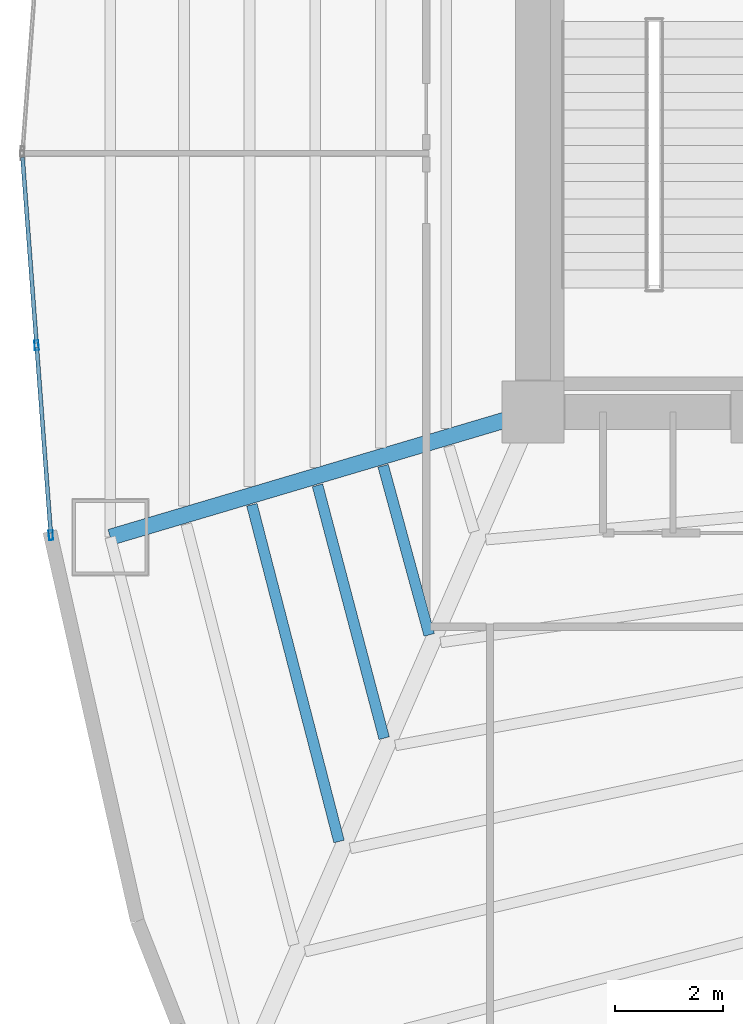
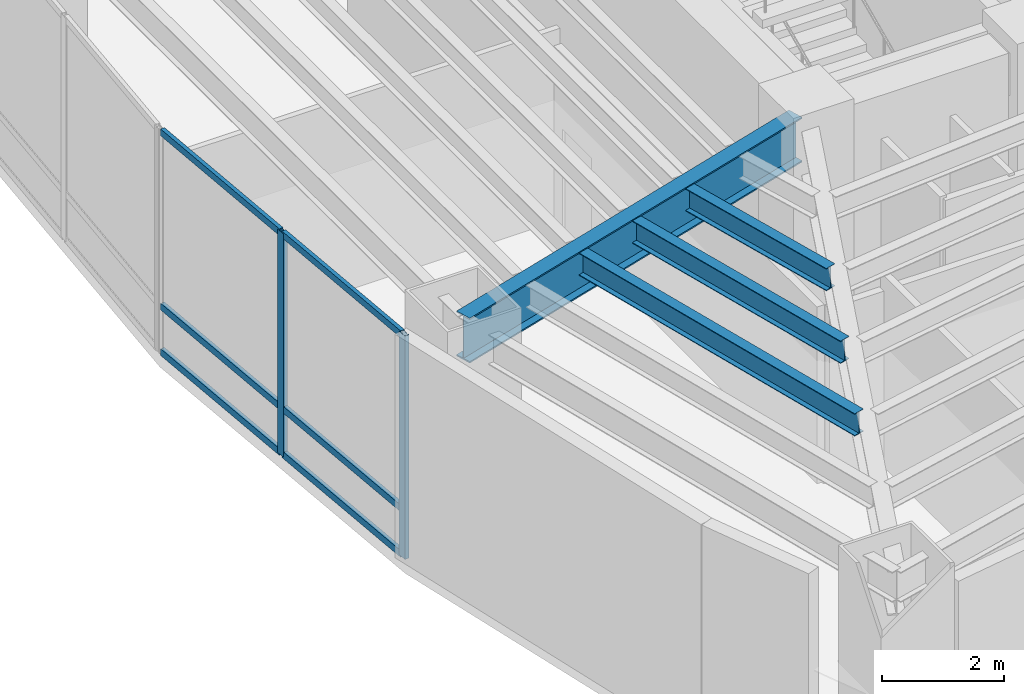
# One storey, part 3 of 18: 8 members, 4 beams, 1 element without a shape of its own.
"""IFC4 building model written with IfcOpenShell, lengths in metres."""

from ifc_helpers import new_model, si_unit, direction, frame, origin, origin_2d, place, context, subcontext, project, spatial, hollow_rectangle, i_section, extrude, material, layer, layer_set, material_profile, profile_set, type_object, element, aggregate, save


model = new_model("IFC4")

# Units and contexts
model_context = context("Model", 3, precision=1e-05, world=origin(), true_north=direction((0.0, 1.0)))
body_context = subcontext(model_context, "Body", "Model", "MODEL_VIEW")
ifc_project = project(units=[si_unit("LENGTHUNIT", "METRE"), si_unit("AREAUNIT", "SQUARE_METRE"), si_unit("VOLUMEUNIT", "CUBIC_METRE"), si_unit("PLANEANGLEUNIT", "RADIAN"), si_unit("MASSUNIT", "GRAM", prefix="KILO")], contexts=[model_context])

# Site, building, storey
site_placement = place(None, origin())
site = spatial("IfcSite", under=ifc_project, at=site_placement, CompositionType="ELEMENT")
building_placement = place(site_placement, origin())
building = spatial("IfcBuilding", under=site, at=building_placement, Name="Menara Vayukalpa", CompositionType="ELEMENT")
storey_placement = place(building_placement, frame((0.0, 0.0, 7.199951171875)))
storey = spatial("IfcBuildingStorey", under=building, at=storey_placement, Name="L01", CompositionType="ELEMENT", Elevation=7.199951171875)

# Beams
ifc_material_1 = material(Name="Steel S355", Category="steel")
ifc_material_profile_1 = material_profile(ifc_material_1, i_section(OverallWidth=0.300048828125, OverallDepth=0.89990234375, WebThickness=0.01611328125, FlangeThickness=0.028076171875, at=origin_2d()), Name="WF 900x300x16x28")
ifc_profile_set_1 = profile_set([ifc_material_profile_1], Name="Steel S355")
beam_type_1 = type_object("IfcBeamType", Name="BM-PG1", PredefinedType="BEAM", material=ifc_profile_set_1)
beam_1_placement = place(storey_placement, frame((17.560302734375, 17.12890625, 4.030029296875), z_axis=(-0.958678858065, -0.284490504409, 0.0), x_axis=(0.284490504409, -0.958678858065, 0.0)))
element("IfcBeam", 1, at=beam_1_placement, inside=storey, type_object=beam_type_1, Name="L01 Primary Radial Girder RG06", PredefinedType="BEAM", context=body_context, shape_type="SweptSolid", body=[
    extrude(i_section(OverallWidth=0.300048828125, OverallDepth=0.89990234375, WebThickness=0.01611328125, FlangeThickness=0.028076171875, at=origin_2d()), origin(), (0.0, 0.0, 1.0), 7.936279296875),
])
ifc_material_2 = material(Name="Steel S355", Category="steel")
ifc_material_profile_2 = material_profile(ifc_material_2, i_section(OverallWidth=0.199951171875, OverallDepth=0.449951171875, WebThickness=0.009033203125, FlangeThickness=0.013916015625, at=origin_2d()), Name="WF 450x200x9x14")
ifc_profile_set_2 = profile_set([ifc_material_profile_2], Name="Steel S355")
beam_type_2 = type_object("IfcBeamType", Name="BM-SJ1", PredefinedType="JOIST", material=ifc_profile_set_2)
beam_2_placement = place(storey_placement, frame((15.018310546875, 16.197265625, 4.255126953125), z_axis=(0.262945960317, -0.964810562729, 0.0), x_axis=(0.964810562729, 0.262945960317, 0.0)))
element("IfcBeam", 2, at=beam_2_placement, inside=storey, type_object=beam_type_2, Name="L01 Secondary Floor Joist SJ06-2", PredefinedType="JOIST", context=body_context, shape_type="SweptSolid", body=[
    extrude(i_section(OverallWidth=0.199951171875, OverallDepth=0.449951171875, WebThickness=0.009033203125, FlangeThickness=0.013916015625, at=origin_2d()), origin(), (0.0, 0.0, 1.0), 3.25341796875),
])
beam_3_placement = place(storey_placement, frame((13.799560546875, 15.835693359375, 4.255126953125), z_axis=(0.254819975699, -0.966988510782, 0.0), x_axis=(0.966988510782, 0.254819975699, 0.0)))
element("IfcBeam", 3, at=beam_3_placement, inside=storey, type_object=beam_type_2, Name="L01 Secondary Floor Joist SJ06-3", PredefinedType="JOIST", context=body_context, shape_type="SweptSolid", body=[
    extrude(i_section(OverallWidth=0.199951171875, OverallDepth=0.449951171875, WebThickness=0.009033203125, FlangeThickness=0.013916015625, at=origin_2d()), origin(), (0.0, 0.0, 1.0), 4.855712890625),
])
beam_4_placement = place(storey_placement, frame((12.581298828125, 15.47412109375, 4.255126953125), z_axis=(0.250533111623, -0.968108031152, 0.0), x_axis=(0.968108031152, 0.250533111623, 0.0)))
element("IfcBeam", 4, at=beam_4_placement, inside=storey, type_object=beam_type_2, Name="L01 Secondary Floor Joist SJ06-4", PredefinedType="JOIST", context=body_context, shape_type="SweptSolid", body=[
    extrude(i_section(OverallWidth=0.199951171875, OverallDepth=0.449951171875, WebThickness=0.009033203125, FlangeThickness=0.013916015625, at=origin_2d()), origin(), (0.0, 0.0, 1.0), 6.4580078125),
])

# Curtain wall, members
ifc_material_3 = material(Name="Anodised Terracotta Aluminium Alloy 6063-T6", Category="masonry")
ifc_layer = layer(ifc_material_3, 0.179931640625)
ifc_layer_set = layer_set([ifc_layer], Name="Anodised Terracotta Aluminium Alloy 6063-T6")
curtain_wall_type = type_object("IfcCurtainWallType", Name="CW-CW1", PredefinedType="USERDEFINED", material=ifc_layer_set)
curtain_wall_placement = place(storey_placement, origin())
curtain_wall = element("IfcCurtainWall", 5, at=curtain_wall_placement, inside=storey, type_object=curtain_wall_type, Name="L01 Podium Unitised Ribbon Curtain Wall CW1 11", ObjectType="UNITISED", PredefinedType="USERDEFINED")
ifc_material_4 = material(Name="Anodised Terracotta Aluminium Alloy 6063-T6", Category="masonry")
ifc_material_profile_3 = material_profile(ifc_material_4, hollow_rectangle(XDim=0.074951171875, YDim=0.179931640625, WallThickness=0.00390625, at=origin_2d()), Name="ALU 75x180x4")
ifc_profile_set_3 = profile_set([ifc_material_profile_3], Name="Anodised Terracotta Aluminium Alloy 6063-T6")
member_type_1 = type_object("IfcMemberType", Name="CWM-CW1", PredefinedType="MULLION", material=ifc_profile_set_3)
member_1_placement = place(storey_placement, frame((8.584716796875, 18.435546875, 0.0), z_axis=(0.0, 0.0, 1.0), x_axis=(0.997198970825, 0.074794468953, 0.0)))
member_1 = element("IfcMember", 6, at=member_1_placement, type_object=member_type_1, Name="CW1 mullion 2", PredefinedType="MULLION", context=body_context, shape_type="SweptSolid", body=[
    extrude(hollow_rectangle(XDim=0.074951171875, YDim=0.179931640625, WallThickness=0.00390625, at=origin_2d()), origin(), (0.0, 0.0, 1.0), 4.47998046875),
])
member_2_placement = place(storey_placement, frame((8.84912109375, 14.908447265625, 0.0), z_axis=(0.0, 0.0, 1.0), x_axis=(0.997198970825, 0.074794468953, 0.0)))
member_2 = element("IfcMember", 7, at=member_2_placement, type_object=member_type_1, Name="CW1 mullion 3", PredefinedType="MULLION", context=body_context, shape_type="SweptSolid", body=[
    extrude(hollow_rectangle(XDim=0.074951171875, YDim=0.179931640625, WallThickness=0.00390625, at=origin_2d()), origin(), (0.0, 0.0, 1.0), 4.47998046875),
])
ifc_material_5 = material(Name="Anodised Terracotta Aluminium Alloy 6063-T6", Category="masonry")
ifc_material_profile_4 = material_profile(ifc_material_5, hollow_rectangle(XDim=0.074951171875, YDim=0.135009765625, WallThickness=0.00390625, at=origin_2d()), Name="ALU 75x135x4")
ifc_profile_set_4 = profile_set([ifc_material_profile_4], Name="Anodised Terracotta Aluminium Alloy 6063-T6")
member_type_2 = type_object("IfcMemberType", Name="CWT-CW1", PredefinedType="USERDEFINED", material=ifc_profile_set_4)
member_3_placement = place(storey_placement, frame((8.322998046875, 21.92529296875, 0.03759765625), z_axis=(0.074749626841, -0.997202333174, 0.0), x_axis=(0.997202333174, 0.074749626841, 0.0)))
member_3 = element("IfcMember", 8, at=member_3_placement, type_object=member_type_2, Name="CW1 transom 1.1", ObjectType="TRANSOM", PredefinedType="USERDEFINED", context=body_context, shape_type="SweptSolid", body=[
    extrude(hollow_rectangle(XDim=0.074951171875, YDim=0.135009765625, WallThickness=0.00390625, at=origin_2d()), origin(), (0.0, 0.0, 1.0), 3.462158203125),
])
member_4_placement = place(storey_placement, frame((8.322998046875, 21.92529296875, 0.949951171875), z_axis=(0.074749626841, -0.997202333174, 0.0), x_axis=(0.997202333174, 0.074749626841, 0.0)))
member_4 = element("IfcMember", 9, at=member_4_placement, type_object=member_type_2, Name="CW1 transom 1.2", ObjectType="TRANSOM", PredefinedType="USERDEFINED", context=body_context, shape_type="SweptSolid", body=[
    extrude(hollow_rectangle(XDim=0.074951171875, YDim=0.135009765625, WallThickness=0.00390625, at=origin_2d()), origin(), (0.0, 0.0, 1.0), 3.462158203125),
])
member_5_placement = place(storey_placement, frame((8.322998046875, 21.92529296875, 4.442626953125), z_axis=(0.074749626841, -0.997202333174, 0.0), x_axis=(0.997202333174, 0.074749626841, 0.0)))
member_5 = element("IfcMember", 10, at=member_5_placement, type_object=member_type_2, Name="CW1 transom 1.3", ObjectType="TRANSOM", PredefinedType="USERDEFINED", context=body_context, shape_type="SweptSolid", body=[
    extrude(hollow_rectangle(XDim=0.074951171875, YDim=0.135009765625, WallThickness=0.00390625, at=origin_2d()), origin(), (0.0, 0.0, 1.0), 3.462158203125),
])
member_6_placement = place(storey_placement, frame((8.58740234375, 18.398193359375, 0.03759765625), z_axis=(0.07481975078, -0.99719707425, 0.0), x_axis=(0.99719707425, 0.07481975078, 0.0)))
member_6 = element("IfcMember", 11, at=member_6_placement, type_object=member_type_2, Name="CW1 transom 2.1", ObjectType="TRANSOM", PredefinedType="USERDEFINED", context=body_context, shape_type="SweptSolid", body=[
    extrude(hollow_rectangle(XDim=0.074951171875, YDim=0.135009765625, WallThickness=0.00390625, at=origin_2d()), origin(), (0.0, 0.0, 1.0), 3.462158203125),
])
member_7_placement = place(storey_placement, frame((8.58740234375, 18.398193359375, 0.949951171875), z_axis=(0.07481975078, -0.99719707425, 0.0), x_axis=(0.99719707425, 0.07481975078, 0.0)))
member_7 = element("IfcMember", 12, at=member_7_placement, type_object=member_type_2, Name="CW1 transom 2.2", ObjectType="TRANSOM", PredefinedType="USERDEFINED", context=body_context, shape_type="SweptSolid", body=[
    extrude(hollow_rectangle(XDim=0.074951171875, YDim=0.135009765625, WallThickness=0.00390625, at=origin_2d()), origin(), (0.0, 0.0, 1.0), 3.462158203125),
])
member_8_placement = place(storey_placement, frame((8.58740234375, 18.398193359375, 4.442626953125), z_axis=(0.07481975078, -0.99719707425, 0.0), x_axis=(0.99719707425, 0.07481975078, 0.0)))
member_8 = element("IfcMember", 13, at=member_8_placement, type_object=member_type_2, Name="CW1 transom 2.3", ObjectType="TRANSOM", PredefinedType="USERDEFINED", context=body_context, shape_type="SweptSolid", body=[
    extrude(hollow_rectangle(XDim=0.074951171875, YDim=0.135009765625, WallThickness=0.00390625, at=origin_2d()), origin(), (0.0, 0.0, 1.0), 3.462158203125),
])
aggregate(curtain_wall, [member_1, member_2, member_3, member_4, member_5, member_6, member_7, member_8])

save(model, "model.ifc")
